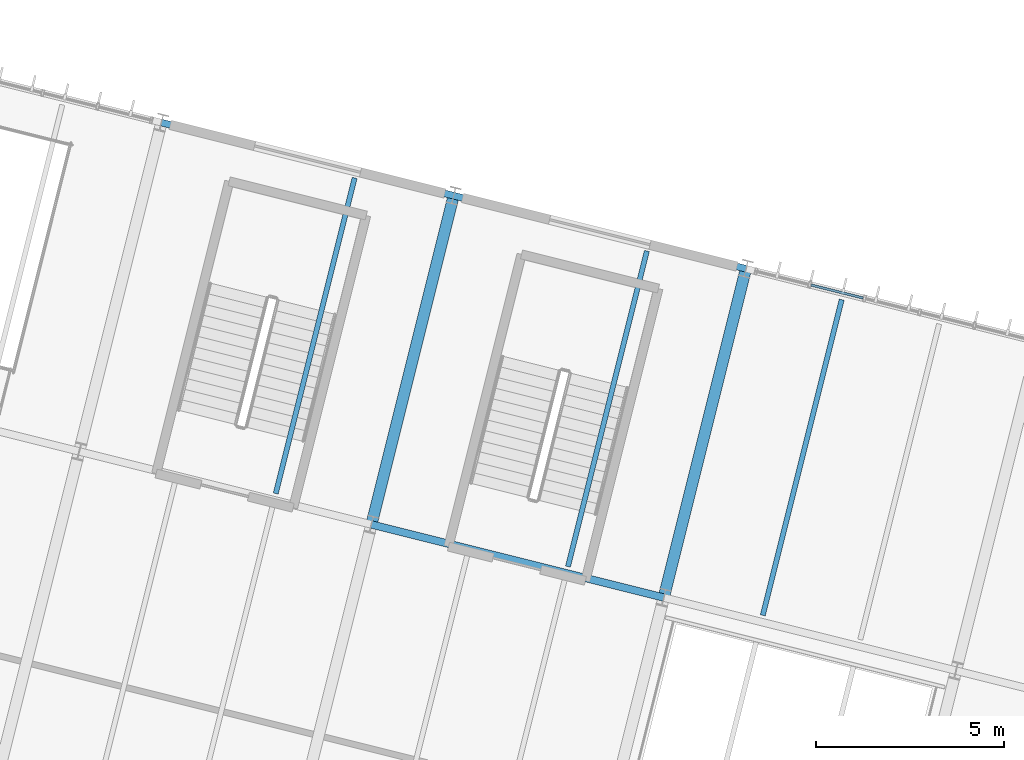
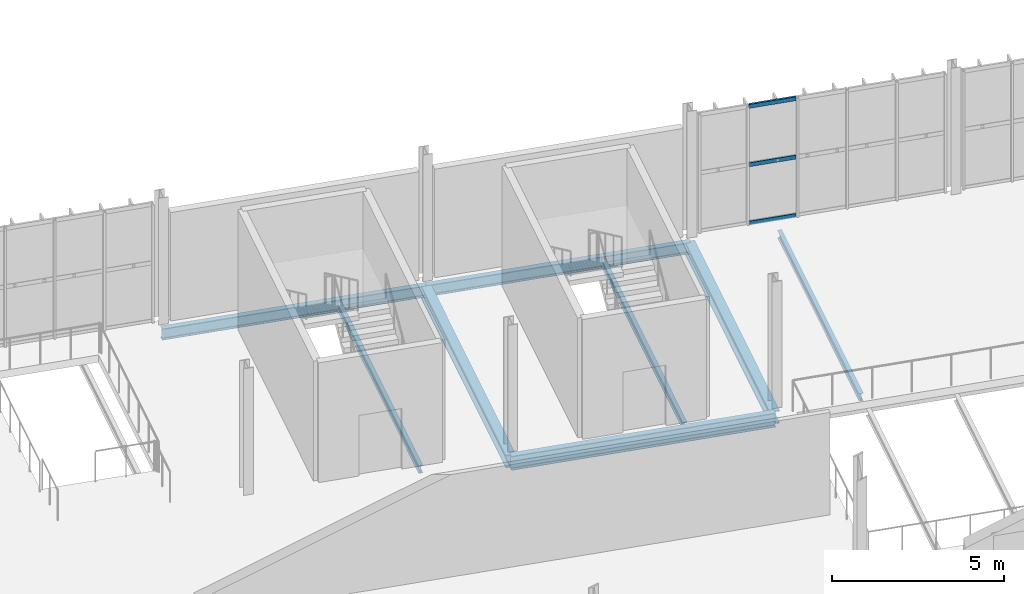
# One storey, part 100 of 152: 8 beams, 3 members, 1 element without a shape of its own.
"""IFC4 building model written with IfcOpenShell, lengths in metres."""

from ifc_helpers import new_model, si_unit, derived_unit, direction, frame, origin, origin_2d, place, context, subcontext, project, spatial, hollow_rectangle, i_section, extrude, material, material_profile, profile_set, type_object, element, aggregate, save


model = new_model("IFC4")

# Units and contexts
model_context = context("Model", 3, precision=1e-05, world=origin(), true_north=direction((0.0, 1.0)))
body_context = subcontext(model_context, "Body", "Model", "MODEL_VIEW")
ifc_project = project(units=[si_unit("LENGTHUNIT", "METRE"), si_unit("AREAUNIT", "SQUARE_METRE"), si_unit("VOLUMEUNIT", "CUBIC_METRE"), si_unit("PLANEANGLEUNIT", "RADIAN"), si_unit("MASSUNIT", "GRAM", prefix="KILO"), si_unit("THERMODYNAMICTEMPERATUREUNIT", "KELVIN"), si_unit("TIMEUNIT", "SECOND"), derived_unit("THERMALTRANSMITTANCEUNIT", [(si_unit("MASSUNIT", "GRAM", prefix="KILO"), 1), (si_unit("THERMODYNAMICTEMPERATUREUNIT", "KELVIN"), -1), (si_unit("TIMEUNIT", "SECOND"), -3)])], contexts=[model_context])

# Site, building, storey
site_placement = place(None, origin())
site = spatial("IfcSite", under=ifc_project, at=site_placement, CompositionType="ELEMENT")
building_placement = place(site_placement, origin())
building = spatial("IfcBuilding", under=site, at=building_placement, Name="Cambertide Market Hall", CompositionType="ELEMENT")
storey_placement = place(building_placement, frame((0.0, 0.0, 5.39990234375)))
storey = spatial("IfcBuildingStorey", under=building, at=storey_placement, Name="L02", CompositionType="ELEMENT", Elevation=5.39990234375)

# Curtain wall, members
ifc_material_1 = material(Name="Marine Anodized Aluminium 6063-T6 AA25", Category="aluminium")
curtain_wall_type = type_object("IfcCurtainWallType", Name="Culinary Teaching Kitchen Curtain Wall", PredefinedType="USERDEFINED", material=ifc_material_1)
curtain_wall_placement = place(storey_placement, origin())
curtain_wall = element("IfcCurtainWall", 1, at=curtain_wall_placement, inside=storey, type_object=curtain_wall_type, Name="Level 2 Curtain Wall CW-V4N-L02-6", ObjectType="UNITIZED CURTAIN WALL", PredefinedType="USERDEFINED")
ifc_material_2 = material(Name="Champagne Marine Anodized Aluminium 6063-T6 AA25", Category="aluminium")
ifc_material_profile_1 = material_profile(ifc_material_2, hollow_rectangle(XDim=0.06494140625, YDim=0.139892578125, WallThickness=0.00341796875, at=origin_2d()), Name="ALU TRANSOM 65x140")
ifc_profile_set_1 = profile_set([ifc_material_profile_1], Name="Champagne Marine Anodized Aluminium 6063-T6 AA25")
member_type = type_object("IfcMemberType", Name="Curtain Wall Transom ALU TRANSOM 65x140", PredefinedType="USERDEFINED", material=ifc_profile_set_1)
member_1_placement = place(storey_placement, frame((155.0849609375, 116.059814453125, 0.03515625), z_axis=(0.970122324991, -0.242616311393, 0.0), x_axis=(0.242616311393, 0.970122324991, 0.0)))
member_1 = element("IfcMember", 2, at=member_1_placement, type_object=member_type, Name="CW-V4N-L02-6 Transom 1-2", ObjectType="TRANSOM", PredefinedType="USERDEFINED", context=body_context, shape_type="SweptSolid", body=[
    extrude(hollow_rectangle(XDim=0.06494140625, YDim=0.139892578125, WallThickness=0.00341796875, at=origin_2d()), origin(), (0.0, 0.0, 1.0), 1.423828125),
])
member_2_placement = place(storey_placement, frame((155.0849609375, 116.059814453125, 2.110107421875), z_axis=(0.970122324991, -0.242616311393, 0.0), x_axis=(0.242616311393, 0.970122324991, 0.0)))
member_2 = element("IfcMember", 3, at=member_2_placement, type_object=member_type, Name="CW-V4N-L02-6 Transom 2-2", ObjectType="TRANSOM", PredefinedType="USERDEFINED", context=body_context, shape_type="SweptSolid", body=[
    extrude(hollow_rectangle(XDim=0.06494140625, YDim=0.139892578125, WallThickness=0.00341796875, at=origin_2d()), origin(), (0.0, 0.0, 1.0), 1.423828125),
])
member_3_placement = place(storey_placement, frame((155.0849609375, 116.059814453125, 4.18505859375), z_axis=(0.970122324991, -0.242616311393, 0.0), x_axis=(0.242616311393, 0.970122324991, 0.0)))
member_3 = element("IfcMember", 4, at=member_3_placement, type_object=member_type, Name="CW-V4N-L02-6 Transom 3-2", ObjectType="TRANSOM", PredefinedType="USERDEFINED", context=body_context, shape_type="SweptSolid", body=[
    extrude(hollow_rectangle(XDim=0.06494140625, YDim=0.139892578125, WallThickness=0.00341796875, at=origin_2d()), origin(), (0.0, 0.0, 1.0), 1.423828125),
])
aggregate(curtain_wall, [member_1, member_2, member_3])

# Beams
ifc_material_3 = material(Name="Steel S355", Category="steel")
ifc_material_profile_2 = material_profile(ifc_material_3, i_section(OverallWidth=0.179931640625, OverallDepth=0.39990234375, WebThickness=0.008544921875, FlangeThickness=0.013427734375, FilletRadius=0.02099609375, at=origin_2d()), Name="IPE 400")
ifc_profile_set_2 = profile_set([ifc_material_profile_2], Name="Steel S355")
beam_type_1 = type_object("IfcBeamType", Name="Perimeter Spandrel Beam IPE 400", PredefinedType="SPANDREL", material=ifc_profile_set_2)
beam_1_placement = place(storey_placement, frame((137.831787109375, 120.373046875, -0.46484375), z_axis=(0.970138909791, -0.242549986002, 0.0), x_axis=(0.242549986002, 0.970138909791, 0.0)))
element("IfcBeam", 5, at=beam_1_placement, inside=storey, type_object=beam_type_1, Name="Level 2 Spandrel BM-V4U-L02-4-4", PredefinedType="SPANDREL", context=body_context, shape_type="SweptSolid", body=[
    extrude(i_section(OverallWidth=0.179931640625, OverallDepth=0.39990234375, WebThickness=0.008544921875, FlangeThickness=0.013427734375, FilletRadius=0.02099609375, at=origin_2d()), origin(), (0.0, 0.0, 1.0), 8.000244140625),
])
beam_2_placement = place(storey_placement, frame((145.593017578125, 118.4326171875, -0.46484375), z_axis=(0.970146090314, -0.242521263911, 0.0), x_axis=(0.242521263911, 0.970146090314, 0.0)))
element("IfcBeam", 6, at=beam_2_placement, inside=storey, type_object=beam_type_1, Name="Level 2 Spandrel BM-V4U-L02-5-4", PredefinedType="SPANDREL", context=body_context, shape_type="SweptSolid", body=[
    extrude(i_section(OverallWidth=0.179931640625, OverallDepth=0.39990234375, WebThickness=0.008544921875, FlangeThickness=0.013427734375, FilletRadius=0.02099609375, at=origin_2d()), origin(), (0.0, 0.0, 1.0), 8.0),
])
ifc_material_4 = material(Name="Steel S355", Category="steel")
ifc_material_profile_3 = material_profile(ifc_material_4, i_section(OverallWidth=0.300048828125, OverallDepth=0.449951171875, WebThickness=0.013916015625, FlangeThickness=0.02587890625, FilletRadius=0.027099609375, at=origin_2d()), Name="HEB 450")
ifc_profile_set_3 = profile_set([ifc_material_profile_3], Name="Steel S355")
beam_type_2 = type_object("IfcBeamType", Name="Steel Girder HEB 450", PredefinedType="BEAM", material=ifc_profile_set_3)
for number, where, z_axis, x_axis, name in (
    (7, (143.41015625, 109.701416015625, -0.489990234375), (0.242542007841, 0.970140904422, 0.0), (-0.970140904422, 0.242542007841, 0.0), "Level 2 Beam BM-V4V-L02-5-3"),
    (8, (151.17138671875, 107.76123046875, -0.489990234375), (0.242542007841, 0.970140904422, 0.0), (-0.970140904422, 0.242542007841, 0.0), "Level 2 Beam BM-V4V-L02-6-3"),
):
    element("IfcBeam", number, at=place(storey_placement, frame(where, z_axis=z_axis, x_axis=x_axis)), inside=storey, type_object=beam_type_2, Name=name, PredefinedType="BEAM", context=body_context, shape_type="SweptSolid", body=[
        extrude(i_section(OverallWidth=0.300048828125, OverallDepth=0.449951171875, WebThickness=0.013916015625, FlangeThickness=0.02587890625, FilletRadius=0.027099609375, at=origin_2d()), origin(), (0.0, 0.0, 1.0), 9.0),
    ])
ifc_material_5 = material(Name="Steel S355", Category="steel")
ifc_material_profile_4 = material_profile(ifc_material_5, i_section(OverallWidth=0.199951171875, OverallDepth=0.5, WebThickness=0.01025390625, FlangeThickness=0.01611328125, FilletRadius=0.02099609375, at=origin_2d()), Name="IPE 500")
ifc_profile_set_4 = profile_set([ifc_material_profile_4], Name="Steel S355")
beam_type_3 = type_object("IfcBeamType", Name="Steel Girder IPE 500", PredefinedType="BEAM", material=ifc_profile_set_4)
beam_3_placement = place(storey_placement, frame((143.41015625, 109.701416015625, -0.514892578125), z_axis=(0.970146090314, -0.242521263911, 0.0), x_axis=(0.242521263911, 0.970146090314, 0.0)))
element("IfcBeam", 9, at=beam_3_placement, inside=storey, type_object=beam_type_3, Name="Level 2 Beam BM-V4U-L02-5-3", PredefinedType="BEAM", context=body_context, shape_type="SweptSolid", body=[
    extrude(i_section(OverallWidth=0.199951171875, OverallDepth=0.5, WebThickness=0.01025390625, FlangeThickness=0.01611328125, FilletRadius=0.02099609375, at=origin_2d()), origin(), (0.0, 0.0, 1.0), 8.0),
])
ifc_material_6 = material(Name="Steel S275", Category="steel")
ifc_material_profile_5 = material_profile(ifc_material_6, i_section(OverallWidth=0.135009765625, OverallDepth=0.27001953125, WebThickness=0.006591796875, FlangeThickness=0.01025390625, FilletRadius=0.014892578125, at=origin_2d()), Name="IPE 270")
ifc_profile_set_5 = profile_set([ifc_material_profile_5], Name="Steel S275")
beam_type_4 = type_object("IfcBeamType", Name="Steel Secondary Joist IPE 270", PredefinedType="JOIST", material=ifc_profile_set_5)
for number, where, z_axis, x_axis, name in (
    (10, (140.86669921875, 110.522705078125, -0.39990234375), (0.242555570896, 0.970137513463, 0.0), (-0.970137513463, 0.242555570896, 0.0), "Level 2 Joist JS-V4-L02-4-3-2"),
    (11, (148.6279296875, 108.58251953125, -0.39990234375), (0.242528976348, 0.970144162293, 0.0), (-0.970144162293, 0.242528976348, 0.0), "Level 2 Joist JS-V4-L02-5-3-2"),
    (12, (153.802001953125, 107.2890625, -0.39990234375), (0.242528976348, 0.970144162293, 0.0), (-0.970144162293, 0.242528976348, 0.0), "Level 2 Joist JS-V4-L02-6-3-1"),
):
    element("IfcBeam", number, at=place(storey_placement, frame(where, z_axis=z_axis, x_axis=x_axis)), inside=storey, type_object=beam_type_4, Name=name, PredefinedType="JOIST", context=body_context, shape_type="SweptSolid", body=[
        extrude(i_section(OverallWidth=0.135009765625, OverallDepth=0.27001953125, WebThickness=0.006591796875, FlangeThickness=0.01025390625, FilletRadius=0.014892578125, at=origin_2d()), origin(), (0.0, 0.0, 1.0), 8.64013671875),
    ])

save(model, "model.ifc")
